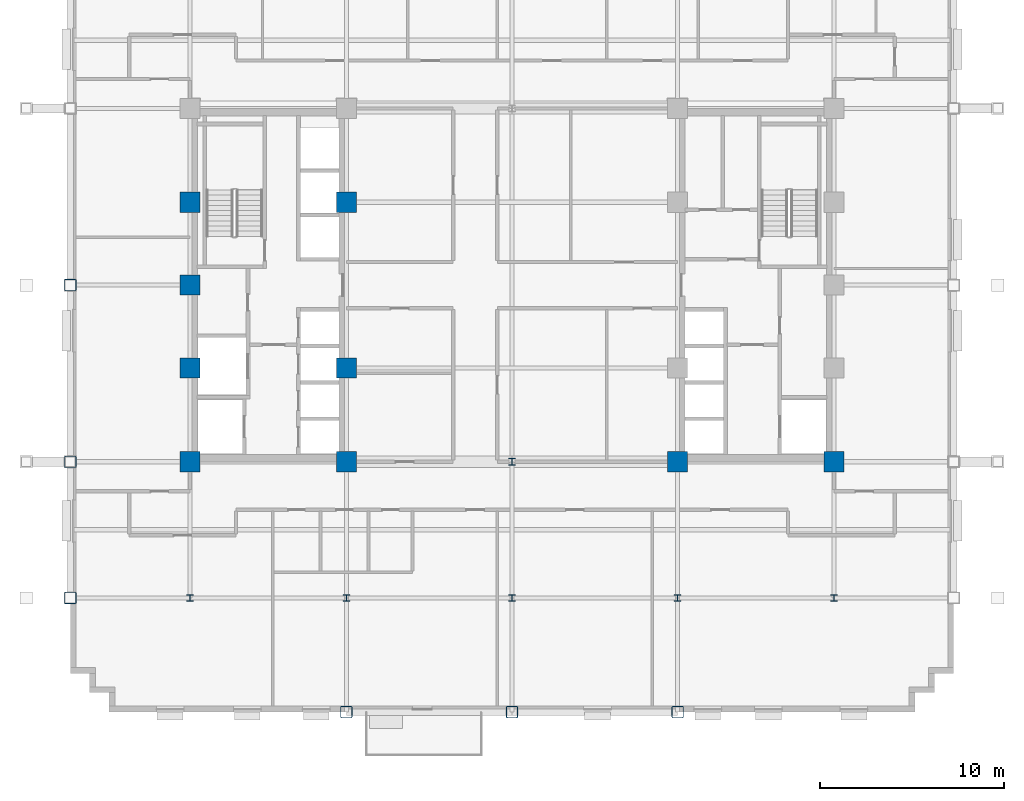
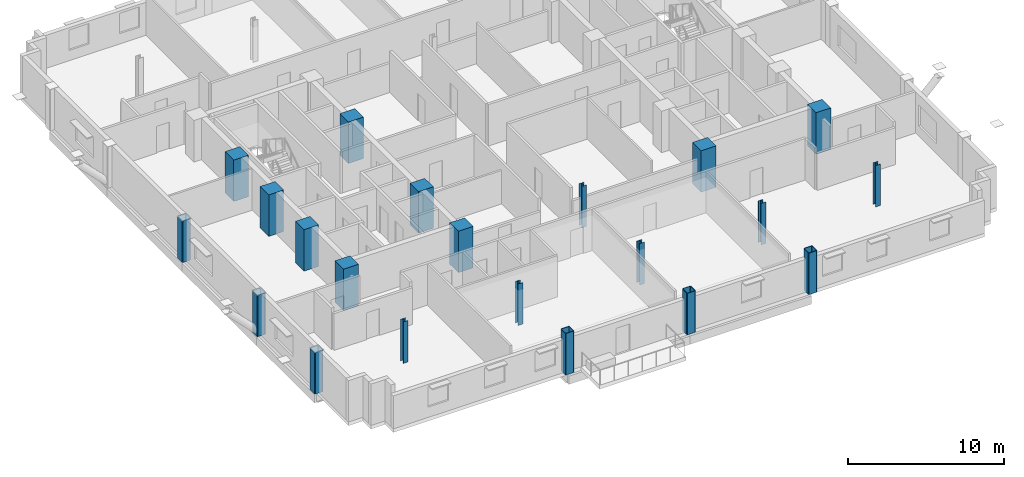
# One storey, part 1 of 14: 21 columns.
"""IFC4 building model written with IfcOpenShell, lengths in metres."""

from ifc_helpers import new_model, si_unit, direction, frame, origin, origin_2d, place, context, subcontext, project, spatial, rectangle, hollow_rectangle, i_section, extrude, material, material_profile, profile_set, type_object, element, save


model = new_model("IFC4")

# Units and contexts
model_context = context("Model", 3, precision=1e-05, world=origin(), true_north=direction((0.0, 1.0)))
body_context = subcontext(model_context, "Body", "Model", "MODEL_VIEW")
ifc_project = project(units=[si_unit("LENGTHUNIT", "METRE"), si_unit("AREAUNIT", "SQUARE_METRE"), si_unit("VOLUMEUNIT", "CUBIC_METRE"), si_unit("PLANEANGLEUNIT", "RADIAN"), si_unit("MASSUNIT", "GRAM", prefix="KILO")], contexts=[model_context])

# Site, building, storey
site_placement = place(None, origin())
site = spatial("IfcSite", under=ifc_project, at=site_placement, CompositionType="ELEMENT")
building_placement = place(site_placement, origin())
building = spatial("IfcBuilding", under=site, at=building_placement, Name="Nuvemarco Arch Tower", CompositionType="ELEMENT")
storey_placement = place(building_placement, frame((0.0, 0.0, 112.89990234375)))
storey = spatial("IfcBuildingStorey", under=building, at=storey_placement, Name="L29", CompositionType="ELEMENT", Elevation=112.89990234375)

# Columns
ifc_material_1 = material(Name="Concrete C60/75", Category="concrete")
ifc_material_profile_1 = material_profile(ifc_material_1, rectangle(XDim=1.10009765625, YDim=1.10009765625, at=origin_2d()), Name="RC-COL-1100x1100")
ifc_profile_set_1 = profile_set([ifc_material_profile_1], Name="Concrete C60/75")
column_type_1 = type_object("IfcColumnType", Name="COL-CORE-1100", PredefinedType="COLUMN", material=ifc_profile_set_1)
for number, where, z_axis, x_axis, name in (
    (1, (-17.5, -9.60009765625, 0.0), (0.0, 0.0, 1.0), (1.0, 0.0, 0.0), "L29 column CC_-17.5_-9.6"),
    (2, (-17.5, -4.5, 0.0), (0.0, 0.0, 1.0), (1.0, 0.0, 0.0), "L29 column CC_-17.5_-4.5"),
    (3, (-17.5, 4.5, 0.0), (0.0, 0.0, 1.0), (1.0, 0.0, 0.0), "L29 column CC_-17.5_+4.5"),
    (4, (-9.0, -9.60009765625, 0.0), (0.0, 0.0, 1.0), (1.0, 0.0, 0.0), "L29 column CC_-9.0_-9.6"),
    (5, (-9.0, -4.5, 0.0), (0.0, 0.0, 1.0), (1.0, 0.0, 0.0), "L29 column CC_-9.0_-4.5"),
    (6, (-9.0, 4.5, 0.0), (0.0, 0.0, 1.0), (1.0, 0.0, 0.0), "L29 column CC_-9.0_+4.5"),
    (7, (9.0, -9.60009765625, 0.0), (0.0, 0.0, 1.0), (1.0, 0.0, 0.0), "L29 column CC_+9.0_-9.6"),
    (8, (17.5, -9.60009765625, 0.0), (0.0, 0.0, 1.0), (1.0, 0.0, 0.0), "L29 column CC_+17.5_-9.6"),
    (9, (-17.5, 0.0, 0.0), (0.0, 0.0, 1.0), (1.0, 0.0, 0.0), "L29 column CC_-17.5_+0.0"),
):
    element("IfcColumn", number, at=place(storey_placement, frame(where, z_axis=z_axis, x_axis=x_axis)), inside=storey, type_object=column_type_1, Name=name, PredefinedType="COLUMN", context=body_context, shape_type="SweptSolid", body=[
        extrude(rectangle(XDim=1.10009765625, YDim=1.10009765625, at=origin_2d()), origin(), (0.0, 0.0, 1.0), 3.25),
    ])
ifc_material_2 = material(Name="Steel S355", Category="steel")
ifc_material_profile_2 = material_profile(ifc_material_2, hollow_rectangle(XDim=0.64990234375, YDim=0.64990234375, WallThickness=0.0400390625, InnerFilletRadius=0.0400390625, OuterFilletRadius=0.080078125, at=origin_2d()), Name="SHS650x650x40")
ifc_profile_set_2 = profile_set([ifc_material_profile_2], Name="Steel S355")
column_type_2 = type_object("IfcColumnType", Name="COL-EXO-650", PredefinedType="COLUMN", material=ifc_profile_set_2)
for number, where, z_axis, x_axis, name in (
    (10, (-24.0, -17.0, 0.0), (0.0, 0.0, 1.0), (1.0, 0.0, 0.0), "L29 column CX_-24.0_-17.0"),
    (11, (-24.0, -9.60009765625, 0.0), (0.0, 0.0, 1.0), (1.0, 0.0, 0.0), "L29 column CX_-24.0_-9.6"),
    (12, (-24.0, 0.0, 0.0), (0.0, 0.0, 1.0), (1.0, 0.0, 0.0), "L29 column CX_-24.0_+0.0"),
    (13, (-9.0, -23.199951171875, 0.0), (0.0, 0.0, 1.0), (1.0, 0.0, 0.0), "L29 column CY_-9.0_-23.2"),
    (14, (0.0, -23.199951171875, 0.0), (0.0, 0.0, 1.0), (1.0, 0.0, 0.0), "L29 column CY_+0.0_-23.2"),
    (15, (9.0, -23.199951171875, 0.0), (0.0, 0.0, 1.0), (1.0, 0.0, 0.0), "L29 column CY_+9.0_-23.2"),
):
    element("IfcColumn", number, at=place(storey_placement, frame(where, z_axis=z_axis, x_axis=x_axis)), inside=storey, type_object=column_type_2, Name=name, PredefinedType="COLUMN", context=body_context, shape_type="SweptSolid", body=[
        extrude(hollow_rectangle(XDim=0.64990234375, YDim=0.64990234375, WallThickness=0.0400390625, InnerFilletRadius=0.0400390625, OuterFilletRadius=0.080078125, at=origin_2d()), origin(), (0.0, 0.0, 1.0), 3.25),
    ])
ifc_material_profile_3 = material_profile(ifc_material_2, i_section(OverallWidth=0.360107421875, OverallDepth=0.360107421875, WebThickness=0.0205078125, FlangeThickness=0.0205078125, FilletRadius=0.01806640625, at=origin_2d()), Name="HP360x174")
ifc_profile_set_3 = profile_set([ifc_material_profile_3], Name="Steel S355")
column_type_3 = type_object("IfcColumnType", Name="COL-STL-HP360", PredefinedType="COLUMN", material=ifc_profile_set_3)
for number, where, z_axis, x_axis, name in (
    (16, (0.0, -17.0, 0.0), (0.0, 0.0, 1.0), (1.0, 0.0, 0.0), "L29 column CI_+0.0_-17.0"),
    (17, (0.0, -9.60009765625, 0.0), (0.0, 0.0, 1.0), (1.0, 0.0, 0.0), "L29 column CI_+0.0_-9.6"),
    (18, (-17.5, -17.0, 0.0), (0.0, 0.0, 1.0), (1.0, 0.0, 0.0), "L29 column CI_-17.5_-17.0"),
    (19, (-9.0, -17.0, 0.0), (0.0, 0.0, 1.0), (1.0, 0.0, 0.0), "L29 column CI_-9.0_-17.0"),
    (20, (9.0, -17.0, 0.0), (0.0, 0.0, 1.0), (1.0, 0.0, 0.0), "L29 column CI_+9.0_-17.0"),
    (21, (17.5, -17.0, 0.0), (0.0, 0.0, 1.0), (1.0, 0.0, 0.0), "L29 column CI_+17.5_-17.0"),
):
    element("IfcColumn", number, at=place(storey_placement, frame(where, z_axis=z_axis, x_axis=x_axis)), inside=storey, type_object=column_type_3, Name=name, PredefinedType="COLUMN", context=body_context, shape_type="SweptSolid", body=[
        extrude(i_section(OverallWidth=0.360107421875, OverallDepth=0.360107421875, WebThickness=0.0205078125, FlangeThickness=0.0205078125, FilletRadius=0.01806640625, at=origin_2d()), origin(), (0.0, 0.0, 1.0), 3.25),
    ])

save(model, "model.ifc")
